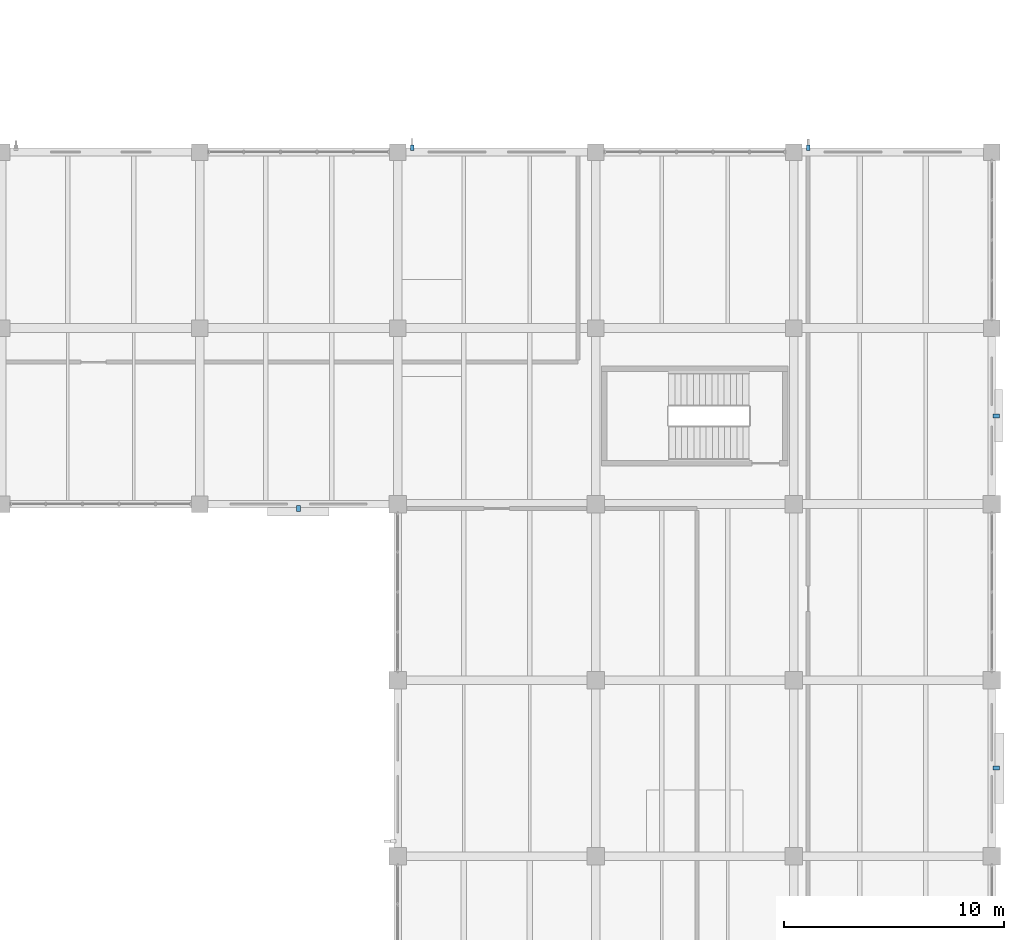
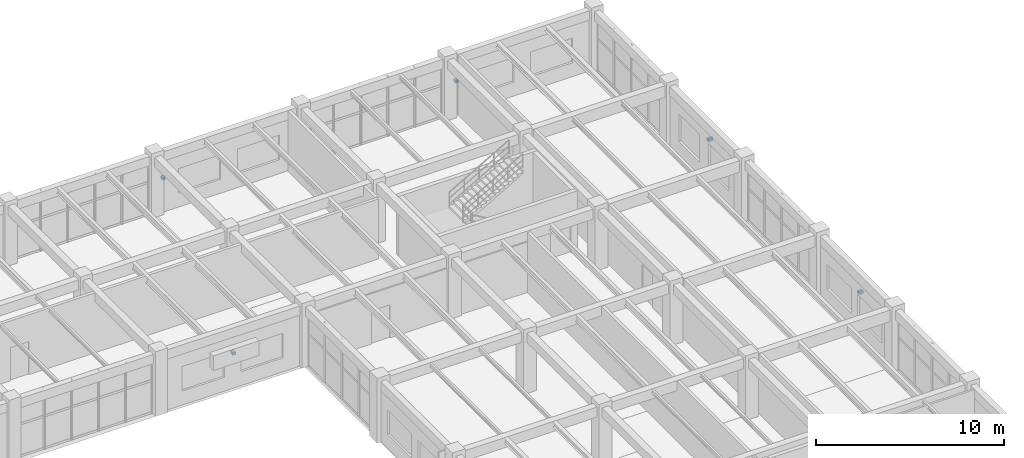
# One storey, part 138 of 148: 5 discrete accessories.
"""IFC4 building model written with IfcOpenShell, lengths in metres."""

from ifc_helpers import new_model, si_unit, derived_unit, direction, frame, origin, origin_2d, place, context, subcontext, project, spatial, rectangle, extrude, material, type_object, element, save


model = new_model("IFC4")

# Units and contexts
model_context = context("Model", 3, precision=1e-05, world=origin(), true_north=direction((0.0, 1.0)))
body_context = subcontext(model_context, "Body", "Model", "MODEL_VIEW")
ifc_project = project(units=[si_unit("LENGTHUNIT", "METRE"), si_unit("AREAUNIT", "SQUARE_METRE"), si_unit("VOLUMEUNIT", "CUBIC_METRE"), si_unit("PLANEANGLEUNIT", "RADIAN"), si_unit("MASSUNIT", "GRAM", prefix="KILO"), derived_unit("THERMALTRANSMITTANCEUNIT", [(si_unit("MASSUNIT", "GRAM", prefix="KILO"), 1), (si_unit("TIMEUNIT", "SECOND"), -3), (si_unit("THERMODYNAMICTEMPERATUREUNIT", "KELVIN"), -1)])], contexts=[model_context])

# Site, building, storey
site_placement = place(None, origin())
site = spatial("IfcSite", under=ifc_project, at=site_placement, CompositionType="ELEMENT")
building_placement = place(site_placement, origin())
building = spatial("IfcBuilding", under=site, at=building_placement, Name="Zhenchuan Archway Interchange", CompositionType="ELEMENT")
storey_placement = place(building_placement, frame((0.0, 0.0, 10.199951171875)))
storey = spatial("IfcBuildingStorey", under=building, at=storey_placement, Name="L02", CompositionType="ELEMENT", Elevation=10.199951171875)

# Discrete accessories
ifc_material = material(Name="Stainless Steel 316", Category="steel")
discrete_accessory_type_1 = type_object("IfcDiscreteAccessoryType", Name="BRK_SHD_1", PredefinedType="BRACKET", material=ifc_material)
for number, where, z_axis, x_axis, name in (
    (1, (144.653076171875, 104.199951171875, 1.8701171875), (0.0, 0.0, 1.0), (1.0, 0.0, 0.0), "Solar fin stainless fixing bracket L02-086"),
    (2, (162.653076171875, 104.199951171875, 1.8701171875), (0.0, 0.0, 1.0), (1.0, 0.0, 0.0), "Solar fin stainless fixing bracket L02-087"),
):
    element("IfcDiscreteAccessory", number, at=place(storey_placement, frame(where, z_axis=z_axis, x_axis=x_axis)), inside=storey, type_object=discrete_accessory_type_1, Name=name, PredefinedType="BRACKET", context=body_context, shape_type="SweptSolid", body=[
        extrude(rectangle(XDim=0.159912109375, YDim=0.239990234375, at=origin_2d()), origin(), (0.0, 0.0, 1.0), 0.159912109375),
    ])
discrete_accessory_type_2 = type_object("IfcDiscreteAccessoryType", Name="BRK_SHD_2", PredefinedType="BRACKET", material=ifc_material)
for number, where, z_axis, x_axis, name in (
    (3, (139.487548828125, 87.800048828125, 2.26025390625), (0.0, 0.0, 1.0), (-1.0, 0.0, 0.0), "Storm-louvre stainless fixing bracket L02-081"),
    (4, (171.199951171875, 92.012451171875, 2.4599609375), (0.0, 0.0, 1.0), (0.0, -1.0, 0.0), "Storm-louvre stainless fixing bracket L02-088"),
    (5, (171.199951171875, 76.0, 2.26025390625), (0.0, 0.0, 1.0), (0.0, -1.0, 0.0), "Storm-louvre stainless fixing bracket L02-089"),
):
    element("IfcDiscreteAccessory", number, at=place(storey_placement, frame(where, z_axis=z_axis, x_axis=x_axis)), inside=storey, type_object=discrete_accessory_type_2, Name=name, PredefinedType="BRACKET", context=body_context, shape_type="SweptSolid", body=[
        extrude(rectangle(XDim=0.179931640625, YDim=0.280029296875, at=origin_2d()), origin(), (0.0, 0.0, 1.0), 0.179931640625),
    ])

save(model, "model.ifc")
